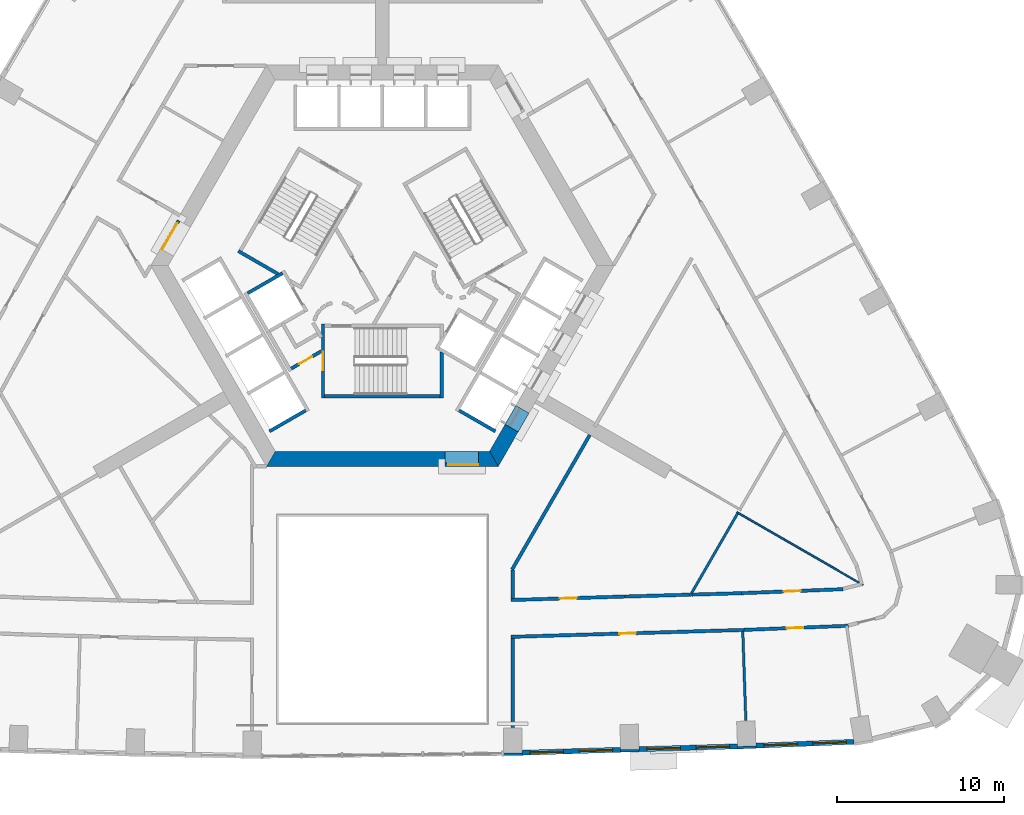
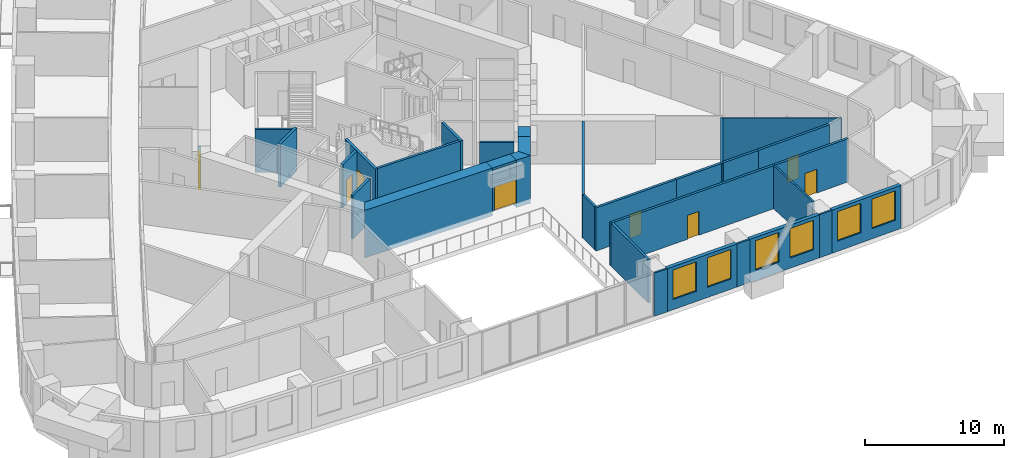
# One storey, part 6 of 15: 33 walls, 8 doors, 6 windows, 14 openings.
"""IFC4 building model written with IfcOpenShell, lengths in metres."""

from ifc_helpers import new_model, si_unit, direction, frame, frame_2d, origin, place, context, subcontext, project, spatial, polyline, rectangle, outline, extrude, material, layer, layer_set, type_object, element, fill, save


model = new_model("IFC4")

# Units and contexts
model_context = context("Model", 3, precision=1e-05, world=origin(), true_north=direction((0.0, 1.0)))
body_context = subcontext(model_context, "Body", "Model", "MODEL_VIEW")
ifc_project = project(units=[si_unit("LENGTHUNIT", "METRE"), si_unit("AREAUNIT", "SQUARE_METRE"), si_unit("VOLUMEUNIT", "CUBIC_METRE"), si_unit("PLANEANGLEUNIT", "RADIAN"), si_unit("MASSUNIT", "GRAM", prefix="KILO")], contexts=[model_context])

# Site, building, storey
site_placement = place(None, origin())
site = spatial("IfcSite", under=ifc_project, at=site_placement, CompositionType="ELEMENT")
building_placement = place(site_placement, origin())
building = spatial("IfcBuilding", under=site, at=building_placement, Name="Entoto Arch Interchange Tower", CompositionType="ELEMENT")
storey_placement = place(building_placement, frame((0.0, 0.0, 107.60009765625)))
storey = spatial("IfcBuildingStorey", under=building, at=storey_placement, Name="L23", CompositionType="ELEMENT", Elevation=107.60009765625)

# Wall, opening, door
ifc_material_1 = material(Name="Reinforced concrete C40/50", Category="concrete")
ifc_layer_1 = layer(ifc_material_1, 0.199951171875)
ifc_layer_set_1 = layer_set([ifc_layer_1], Name="Reinforced concrete C40/50")
wall_type_1 = type_object("IfcWallType", Name="CORE GAP INFILL WALL", PredefinedType="PARTITIONING", material=ifc_layer_set_1)
wall_1_placement = place(storey_placement, frame((3.75, -9.39990234375, 0.0), z_axis=(0.0, 0.0, 1.0), x_axis=(1.0, 0.0, 0.0)))
wall_1 = element("IfcWall", 1, at=wall_1_placement, inside=storey, type_object=wall_type_1, Name="wall:L23:gap1", PredefinedType="PARTITIONING", context=body_context, shape_type="SweptSolid", body=[
    extrude(rectangle(XDim=2.0, YDim=0.199951171875, at=frame_2d((1.0, 0.0))), origin(), (0.0, 0.0, 1.0), 2.39990234375),
])
opening_1_placement = place(wall_1_placement, frame((0.18994140625, 0.0, 0.0)))
opening_1 = element("IfcOpeningElement", 2, at=opening_1_placement, cuts=wall_1, Name="Opening L23-D91", PredefinedType="OPENING", context=body_context, shape_type="SweptSolid", body=[
    extrude(rectangle(XDim=1.800048828125, YDim=2.10009765625, at=frame_2d((0.89990234375, 1.050048828125))), frame((0.0, 0.10986328125, 0.0), z_axis=(0.0, -1.0, 0.0), x_axis=(1.0, 0.0, 0.0)), (0.0, 0.0, 1.0), 0.219970703125),
])
ifc_material_2 = material(Name="Fire-rated Steel S235 door and frame", Category="steel")
door_type_1 = type_object("IfcDoorType", Name="DOOR FD-18 1800x2100", OperationType="DOUBLE_DOOR_SINGLE_SWING", PredefinedType="DOOR", material=ifc_material_2)
door_1_placement = place(opening_1_placement, origin())
door_1 = element("IfcDoor", 3, at=door_1_placement, inside=storey, type_object=door_type_1, Name="door:L23:gap1", OperationType="DOUBLE_DOOR_SINGLE_SWING", OverallHeight=2.10009765625, OverallWidth=1.800048828125, PredefinedType="DOOR", context=body_context, shape_type="SweptSolid", body=[
    extrude(rectangle(XDim=1.800048828125, YDim=2.10009765625, at=frame_2d((0.89990234375, 1.050048828125))), frame((0.0, 0.02490234375, 0.0), z_axis=(0.0, -1.0, 0.0), x_axis=(1.0, 0.0, 0.0)), (0.0, 0.0, 1.0), 0.050048828125),
])
fill(opening_1, door_1)

wall_2_placement = place(storey_placement, frame((-12.179931640625, 5.201904296875, 0.0), z_axis=(0.0, 0.0, 1.0), x_axis=(-0.50002537861, -0.866010750942, 0.0)))
wall_2 = element("IfcWall", 4, at=wall_2_placement, inside=storey, type_object=wall_type_1, Name="wall:L23:gap3", PredefinedType="PARTITIONING", context=body_context, shape_type="SweptSolid", body=[
    extrude(rectangle(XDim=2.0, YDim=0.199951171875, at=frame_2d((1.0, 0.0))), origin(), (0.0, 0.0, 1.0), 2.39990234375),
])
opening_2_placement = place(wall_2_placement, frame((0.18994140625, 0.0, 0.0)))
opening_2 = element("IfcOpeningElement", 5, at=opening_2_placement, cuts=wall_2, Name="Opening L23-D93", PredefinedType="OPENING", context=body_context, shape_type="SweptSolid", body=[
    extrude(rectangle(XDim=1.800048828125, YDim=2.10009765625, at=frame_2d((0.89990234375, 1.050048828125))), frame((0.0, 0.10986328125, 0.0), z_axis=(0.0, -1.0, 0.0), x_axis=(1.0, 0.0, 0.0)), (0.0, 0.0, 1.0), 0.219970703125),
])
door_2_placement = place(opening_2_placement, origin())
door_2 = element("IfcDoor", 6, at=door_2_placement, inside=storey, type_object=door_type_1, Name="door:L23:gap3", OperationType="DOUBLE_DOOR_SINGLE_SWING", OverallHeight=2.10009765625, OverallWidth=1.800048828125, PredefinedType="DOOR", context=body_context, shape_type="SweptSolid", body=[
    extrude(rectangle(XDim=1.800048828125, YDim=2.10009765625, at=frame_2d((0.89990234375, 1.050048828125))), frame((0.0, 0.02490234375, 0.0), z_axis=(0.0, -1.0, 0.0), x_axis=(1.0, 0.0, 0.0)), (0.0, 0.0, 1.0), 0.050048828125),
])
fill(opening_2, door_2)

# Walls
ifc_material_3 = material(Name="Concrete C60/75", Category="concrete")
ifc_layer_2 = layer(ifc_material_3, 0.89990234375)
ifc_layer_set_2 = layer_set([ifc_layer_2], Name="Concrete C60/75")
wall_type_2 = type_object("IfcWallType", Name="Core wall 900 C60/75", PredefinedType="SHEAR", material=ifc_layer_set_2)
wall_3_placement = place(storey_placement, frame((0.0, 0.0, -0.400146484375)))
element("IfcWall", 7, at=wall_3_placement, inside=storey, type_object=wall_type_2, Name="Core wall S L23", PredefinedType="SHEAR", context=body_context, shape_type="SweptSolid", body=[
    extrude(outline(polyline([(3.75, -9.5), (3.75, -8.60009765625), (-6.408935546875, -8.60009765625), (-6.927978515625, -9.5), (3.75, -9.5)])), origin(), (0.0, 0.0, 1.0), 4.199951171875),
])
wall_4_placement = place(storey_placement, frame((0.0, 0.0, -0.400146484375)))
element("IfcWall", 8, at=wall_4_placement, inside=storey, type_object=wall_type_2, Name="Core wall S L23", PredefinedType="SHEAR", context=body_context, shape_type="SweptSolid", body=[
    extrude(outline(polyline([(5.75, -8.60009765625), (5.75, -9.5), (6.927978515625, -9.5), (6.408935546875, -8.60009765625), (5.75, -8.60009765625)])), origin(), (0.0, 0.0, 1.0), 4.199951171875),
])
wall_5_placement = place(storey_placement, frame((0.0, 0.0, 3.599853515625)))
element("IfcWall", 9, at=wall_5_placement, inside=storey, type_object=wall_type_2, Name="Core wall lintel S L23", PredefinedType="SHEAR", context=body_context, shape_type="SweptSolid", body=[
    extrude(outline(polyline([(5.75, -9.5), (5.75, -8.60009765625), (3.75, -8.60009765625), (3.75, -9.5), (5.75, -9.5)])), origin(), (0.0, 0.0, 1.0), 0.199951171875),
])
wall_6_placement = place(storey_placement, frame((0.0, 0.0, -0.400146484375)))
element("IfcWall", 10, at=wall_6_placement, inside=storey, type_object=wall_type_2, Name="Core wall SE L23", PredefinedType="SHEAR", context=body_context, shape_type="SweptSolid", body=[
    extrude(outline(polyline([(8.116943359375, -7.43994140625), (7.337890625, -6.989990234375), (6.408935546875, -8.60009765625), (6.927978515625, -9.5), (8.116943359375, -7.43994140625)])), origin(), (0.0, 0.0, 1.0), 4.199951171875),
])
wall_7_placement = place(storey_placement, frame((0.0, 0.0, 3.599853515625)))
element("IfcWall", 11, at=wall_7_placement, inside=storey, type_object=wall_type_2, Name="Core wall lintel SE L23", PredefinedType="SHEAR", context=body_context, shape_type="SweptSolid", body=[
    extrude(outline(polyline([(8.76708984375, -6.31396484375), (7.988037109375, -5.864013671875), (7.337890625, -6.989990234375), (8.116943359375, -7.43994140625), (8.76708984375, -6.31396484375)])), origin(), (0.0, 0.0, 1.0), 0.199951171875),
])
ifc_material_4 = material(Name="Concrete C40/50", Category="concrete")
ifc_layer_3 = layer(ifc_material_4, 0.199951171875)
ifc_layer_set_3 = layer_set([ifc_layer_3], Name="Concrete C40/50")
wall_type_3 = type_object("IfcWallType", Name="LIFT SHAFT WALL 200", PredefinedType="STANDARD", material=ifc_layer_set_3)
wall_8_placement = place(storey_placement, frame((-5.97705078125, 2.052001953125, 0.0), z_axis=(0.0, 0.0, 1.0), x_axis=(-0.865973769406, -0.500089422704, 0.0)))
element("IfcWall", 12, at=wall_8_placement, inside=storey, type_object=wall_type_3, Name="Shaft wall SW1 cross 1", PredefinedType="STANDARD", context=body_context, shape_type="SweptSolid", body=[
    extrude(rectangle(XDim=2.3994140625, YDim=0.199951171875, at=frame_2d((1.19970703125, 0.0))), origin(), (0.0, 0.0, 1.0), 3.7998046875),
])
for number, where, z_axis, x_axis, name in (
    (13, (-4.587890625, -6.153076171875, 0.0), (0.0, 0.0, 1.0), (-0.866022959057, -0.500004234368, 0.0), "Shaft wall SW3 cross 5"),
    (14, (4.587890625, -6.153076171875, 0.0), (0.0, 0.0, 1.0), (0.866022959057, -0.500004234368, 0.0), "Shaft wall SE3 cross 1"),
):
    element("IfcWall", number, at=place(storey_placement, frame(where, z_axis=z_axis, x_axis=x_axis)), inside=storey, type_object=wall_type_3, Name=name, PredefinedType="STANDARD", context=body_context, shape_type="SweptSolid", body=[
        extrude(rectangle(XDim=2.5, YDim=0.199951171875, at=frame_2d((1.25, 0.0))), origin(), (0.0, 0.0, 1.0), 3.7998046875),
    ])
ifc_material_5 = material(Name="Gypsum board partition on steel studs", Category="steel")
ifc_layer_4 = layer(ifc_material_5, 0.10009765625)
ifc_layer_set_4 = layer_set([ifc_layer_4], Name="Gypsum board partition on steel studs")
wall_type_4 = type_object("IfcWallType", Name="PARTITION 100", PredefinedType="PARTITIONING", material=ifc_layer_set_4)
wall_9_placement = place(storey_placement, frame((21.196044921875, -12.238037109375, 0.0), z_axis=(0.0, 0.0, 1.0), x_axis=(0.866023145199, -0.500003911965, 0.0)))
element("IfcWall", 15, at=wall_9_placement, inside=storey, type_object=wall_type_4, Name="wall:L23:p126", PredefinedType="PARTITIONING", context=body_context, shape_type="SweptSolid", body=[
    extrude(rectangle(XDim=8.7099609375, YDim=0.10009765625, at=frame_2d((4.35498046875, 0.0))), origin(), (0.0, 0.0, 1.0), 3.7998046875),
])
ifc_layer_5 = layer(ifc_material_5, 0.14990234375)
ifc_layer_set_5 = layer_set([ifc_layer_5], Name="Gypsum board partition on steel studs")
wall_type_5 = type_object("IfcWallType", Name="PARTITION 150", PredefinedType="PARTITIONING", material=ifc_layer_set_5)
wall_10_placement = place(storey_placement, frame((21.236083984375, -12.319091796875, 0.0), z_axis=(0.0, 0.0, 1.0), x_axis=(-0.500016488359, -0.866015884017, 0.0)))
element("IfcWall", 16, at=wall_10_placement, inside=storey, type_object=wall_type_5, Name="wall:L23:p124", PredefinedType="PARTITIONING", context=body_context, shape_type="SweptSolid", body=[
    extrude(rectangle(XDim=5.701904296875, YDim=0.14990234375, at=frame_2d((2.85107421875, 0.0))), origin(), (0.0, 0.0, 1.0), 3.7998046875),
])
wall_11_placement = place(storey_placement, frame((21.550048828125, -19.382080078125, 0.0), z_axis=(0.0, 0.0, 1.0), x_axis=(0.034124666577, -0.999417583961, 0.0)))
element("IfcWall", 17, at=wall_11_placement, inside=storey, type_object=wall_type_5, Name="wall:L23:p137", PredefinedType="PARTITIONING", context=body_context, shape_type="SweptSolid", body=[
    extrude(rectangle(XDim=5.330078125, YDim=0.14990234375, at=frame_2d((2.6650390625, 0.0))), origin(), (0.0, 0.0, 1.0), 3.7998046875),
])

# Wall, opening, door
ifc_layer_6 = layer(ifc_material_5, 0.199951171875)
ifc_layer_set_6 = layer_set([ifc_layer_6], Name="Gypsum board partition on steel studs")
wall_type_6 = type_object("IfcWallType", Name="PARTITION 200", PredefinedType="PARTITIONING", material=ifc_layer_set_6)
wall_12_placement = place(storey_placement, frame((7.699951171875, -17.492919921875, 0.0), z_axis=(0.0, 0.0, 1.0), x_axis=(0.999526319751, 0.030775576778, 0.0)))
wall_12 = element("IfcWall", 18, at=wall_12_placement, inside=storey, type_object=wall_type_6, Name="wall:L23:p017", PredefinedType="PARTITIONING", context=body_context, shape_type="SweptSolid", body=[
    extrude(rectangle(XDim=6.822265625, YDim=0.199951171875, at=frame_2d((3.4111328125, 0.0))), origin(), (0.0, 0.0, 1.0), 3.7998046875),
])
opening_3_placement = place(wall_12_placement, frame((2.910888671875, 0.0, 0.0)))
opening_3 = element("IfcOpeningElement", 19, at=opening_3_placement, cuts=wall_12, Name="Opening L23-D21", PredefinedType="OPENING", context=body_context, shape_type="SweptSolid", body=[
    extrude(rectangle(XDim=1.0, YDim=2.10009765625, at=frame_2d((0.5, 1.050048828125))), frame((0.0, 0.10986328125, 0.0), z_axis=(0.0, -1.0, 0.0), x_axis=(1.0, 0.0, 0.0)), (0.0, 0.0, 1.0), 0.219970703125),
])
ifc_material_6 = material(Name="Timber door leaf in Steel S235 frame", Category="steel")
door_type_2 = type_object("IfcDoorType", Name="DOOR DS-10 1000x2100", OperationType="SINGLE_SWING_LEFT", PredefinedType="DOOR", material=ifc_material_6)
door_3_placement = place(opening_3_placement, origin())
door_3 = element("IfcDoor", 20, at=door_3_placement, inside=storey, type_object=door_type_2, Name="door:L23:21", OperationType="SINGLE_SWING_LEFT", OverallHeight=2.10009765625, OverallWidth=1.0, PredefinedType="DOOR", context=body_context, shape_type="SweptSolid", body=[
    extrude(rectangle(XDim=1.0, YDim=2.10009765625, at=frame_2d((0.5, 1.050048828125))), frame((0.0, 0.02490234375, 0.0), z_axis=(0.0, -1.0, 0.0), x_axis=(1.0, 0.0, 0.0)), (0.0, 0.0, 1.0), 0.050048828125),
])
fill(opening_3, door_3)

# Walls
wall_13_placement = place(storey_placement, frame((14.51904296875, -17.282958984375, 0.0), z_axis=(0.0, 0.0, 1.0), x_axis=(0.999591204998, 0.028590608419, 0.0)))
element("IfcWall", 21, at=wall_13_placement, inside=storey, type_object=wall_type_6, Name="wall:L23:p018", PredefinedType="PARTITIONING", context=body_context, shape_type="SweptSolid", body=[
    extrude(rectangle(XDim=3.842529296875, YDim=0.199951171875, at=frame_2d((1.92138671875, 0.0))), origin(), (0.0, 0.0, 1.0), 3.7998046875),
])
wall_14_placement = place(storey_placement, frame((18.509033203125, -17.16796875, 0.0), z_axis=(0.0, 0.0, 1.0), x_axis=(0.999588854267, 0.028672677323, 0.0)))
element("IfcWall", 22, at=wall_14_placement, inside=storey, type_object=wall_type_6, Name="wall:L23:p021", PredefinedType="PARTITIONING", context=body_context, shape_type="SweptSolid", body=[
    extrude(rectangle(XDim=2.963134765625, YDim=0.199951171875, at=frame_2d((1.4814453125, 0.0))), origin(), (0.0, 0.0, 1.0), 3.7998046875),
])

# Wall, opening, door
wall_15_placement = place(storey_placement, frame((21.470947265625, -17.0830078125, 0.0), z_axis=(0.0, 0.0, 1.0), x_axis=(0.999221407079, 0.039453512338, 0.0)))
wall_15 = element("IfcWall", 23, at=wall_15_placement, inside=storey, type_object=wall_type_6, Name="wall:L23:p022", PredefinedType="PARTITIONING", context=body_context, shape_type="SweptSolid", body=[
    extrude(rectangle(XDim=6.082763671875, YDim=0.199951171875, at=frame_2d((3.04150390625, 0.0))), origin(), (0.0, 0.0, 1.0), 3.7998046875),
])
opening_4_placement = place(wall_15_placement, frame((2.541015625, 0.0, 0.0)))
opening_4 = element("IfcOpeningElement", 24, at=opening_4_placement, cuts=wall_15, Name="Opening L23-D23", PredefinedType="OPENING", context=body_context, shape_type="SweptSolid", body=[
    extrude(rectangle(XDim=1.0, YDim=2.10009765625, at=frame_2d((0.5, 1.050048828125))), frame((0.0, 0.10986328125, 0.0), z_axis=(0.0, -1.0, 0.0), x_axis=(1.0, 0.0, 0.0)), (0.0, 0.0, 1.0), 0.219970703125),
])
door_4_placement = place(opening_4_placement, origin())
door_4 = element("IfcDoor", 25, at=door_4_placement, inside=storey, type_object=door_type_2, Name="door:L23:23", OperationType="SINGLE_SWING_LEFT", OverallHeight=2.10009765625, OverallWidth=1.0, PredefinedType="DOOR", context=body_context, shape_type="SweptSolid", body=[
    extrude(rectangle(XDim=1.0, YDim=2.10009765625, at=frame_2d((0.5, 1.050048828125))), frame((0.0, 0.02490234375, 0.0), z_axis=(0.0, -1.0, 0.0), x_axis=(1.0, 0.0, 0.0)), (0.0, 0.0, 1.0), 0.050048828125),
])
fill(opening_4, door_4)

wall_16_placement = place(storey_placement, frame((21.62109375, -19.280029296875, 0.0), z_axis=(0.0, 0.0, 1.0), x_axis=(-0.999557957525, -0.029730280001, 0.0)))
wall_16 = element("IfcWall", 26, at=wall_16_placement, inside=storey, type_object=wall_type_6, Name="wall:L23:p043", PredefinedType="PARTITIONING", context=body_context, shape_type="SweptSolid", body=[
    extrude(rectangle(XDim=13.92724609375, YDim=0.199951171875, at=frame_2d((6.963623046875, 0.0))), origin(), (0.0, 0.0, 1.0), 3.7998046875),
])
opening_5_placement = place(wall_16_placement, frame((6.464111328125, 0.0, 0.0)))
opening_5 = element("IfcOpeningElement", 27, at=opening_5_placement, cuts=wall_16, Name="Opening L23-D01", PredefinedType="OPENING", context=body_context, shape_type="SweptSolid", body=[
    extrude(rectangle(XDim=1.0, YDim=2.10009765625, at=frame_2d((0.5, 1.050048828125))), frame((0.0, 0.10986328125, 0.0), z_axis=(0.0, -1.0, 0.0), x_axis=(1.0, 0.0, 0.0)), (0.0, 0.0, 1.0), 0.219970703125),
])
door_5_placement = place(opening_5_placement, origin())
door_5 = element("IfcDoor", 28, at=door_5_placement, inside=storey, type_object=door_type_2, Name="door:L23:01", OperationType="SINGLE_SWING_LEFT", OverallHeight=2.10009765625, OverallWidth=1.0, PredefinedType="DOOR", context=body_context, shape_type="SweptSolid", body=[
    extrude(rectangle(XDim=1.0, YDim=2.10009765625, at=frame_2d((0.5, 1.050048828125))), frame((0.0, 0.02490234375, 0.0), z_axis=(0.0, -1.0, 0.0), x_axis=(1.0, 0.0, 0.0)), (0.0, 0.0, 1.0), 0.050048828125),
])
fill(opening_5, door_5)

wall_17_placement = place(storey_placement, frame((27.864990234375, -19.031982421875, 0.0), z_axis=(0.0, 0.0, 1.0), x_axis=(-0.999218029978, -0.039538950003, 0.0)))
wall_17 = element("IfcWall", 29, at=wall_17_placement, inside=storey, type_object=wall_type_6, Name="wall:L23:p044", PredefinedType="PARTITIONING", context=body_context, shape_type="SweptSolid", body=[
    extrude(rectangle(XDim=6.248779296875, YDim=0.199951171875, at=frame_2d((3.12451171875, 0.0))), origin(), (0.0, 0.0, 1.0), 3.7998046875),
])
opening_6_placement = place(wall_17_placement, frame((2.698974609375, 0.0, 0.0)))
opening_6 = element("IfcOpeningElement", 30, at=opening_6_placement, cuts=wall_17, Name="Opening L23-D02", PredefinedType="OPENING", context=body_context, shape_type="SweptSolid", body=[
    extrude(rectangle(XDim=1.0, YDim=2.10009765625, at=frame_2d((0.5, 1.050048828125))), frame((0.0, 0.10986328125, 0.0), z_axis=(0.0, -1.0, 0.0), x_axis=(1.0, 0.0, 0.0)), (0.0, 0.0, 1.0), 0.219970703125),
])
door_6_placement = place(opening_6_placement, origin())
door_6 = element("IfcDoor", 31, at=door_6_placement, inside=storey, type_object=door_type_2, Name="door:L23:02", OperationType="SINGLE_SWING_LEFT", OverallHeight=2.10009765625, OverallWidth=1.0, PredefinedType="DOOR", context=body_context, shape_type="SweptSolid", body=[
    extrude(rectangle(XDim=1.0, YDim=2.10009765625, at=frame_2d((0.5, 1.050048828125))), frame((0.0, 0.02490234375, 0.0), z_axis=(0.0, -1.0, 0.0), x_axis=(1.0, 0.0, 0.0)), (0.0, 0.0, 1.0), 0.050048828125),
])
fill(opening_6, door_6)

wall_18_placement = place(storey_placement, frame((-3.64990234375, -2.610107421875, 0.0), z_axis=(0.0, 0.0, 1.0), x_axis=(-0.866072462134, -0.499918483688, 0.0)))
wall_18 = element("IfcWall", 32, at=wall_18_placement, inside=storey, type_object=wall_type_6, Name="wall:L23:p092", PredefinedType="PARTITIONING", context=body_context, shape_type="SweptSolid", body=[
    extrude(rectangle(XDim=2.084228515625, YDim=0.199951171875, at=frame_2d((1.0419921875, 0.0))), origin(), (0.0, 0.0, 1.0), 3.7998046875),
])
opening_7_placement = place(wall_18_placement, frame((0.64208984375, 0.0, 0.0)))
opening_7 = element("IfcOpeningElement", 33, at=opening_7_placement, cuts=wall_18, Name="Opening L23-D39", PredefinedType="OPENING", context=body_context, shape_type="SweptSolid", body=[
    extrude(rectangle(XDim=0.89990234375, YDim=2.10009765625, at=frame_2d((0.449951171875, 1.050048828125))), frame((0.0, 0.10986328125, 0.0), z_axis=(0.0, -1.0, 0.0), x_axis=(1.0, 0.0, 0.0)), (0.0, 0.0, 1.0), 0.219970703125),
])
door_type_3 = type_object("IfcDoorType", Name="DOOR DS-09 900x2100", OperationType="SINGLE_SWING_LEFT", PredefinedType="DOOR", material=ifc_material_6)
door_7_placement = place(opening_7_placement, origin())
door_7 = element("IfcDoor", 34, at=door_7_placement, inside=storey, type_object=door_type_3, Name="door:L23:39", OperationType="SINGLE_SWING_LEFT", OverallHeight=2.10009765625, OverallWidth=0.89990234375, PredefinedType="DOOR", context=body_context, shape_type="SweptSolid", body=[
    extrude(rectangle(XDim=0.89990234375, YDim=2.10009765625, at=frame_2d((0.449951171875, 1.050048828125))), frame((0.0, 0.02490234375, 0.0), z_axis=(0.0, -1.0, 0.0), x_axis=(1.0, 0.0, 0.0)), (0.0, 0.0, 1.0), 0.050048828125),
])
fill(opening_7, door_7)

# Walls
wall_19_placement = place(storey_placement, frame((7.800048828125, -15.68994140625, 0.0), z_axis=(0.0, 0.0, 1.0), x_axis=(0.0, -1.0, 0.0)))
element("IfcWall", 35, at=wall_19_placement, inside=storey, type_object=wall_type_6, Name="wall:L23:p115", PredefinedType="PARTITIONING", context=body_context, shape_type="SweptSolid", body=[
    extrude(rectangle(XDim=1.699951171875, YDim=0.199951171875, at=frame_2d((0.85009765625, 0.0))), origin(), (0.0, 0.0, 1.0), 3.7998046875),
])
wall_20_placement = place(storey_placement, frame((7.800048828125, -19.791015625, 0.0), z_axis=(0.0, 0.0, 1.0), x_axis=(0.0, -1.0, 0.0)))
element("IfcWall", 36, at=wall_20_placement, inside=storey, type_object=wall_type_6, Name="wall:L23:p118", PredefinedType="PARTITIONING", context=body_context, shape_type="SweptSolid", body=[
    extrude(rectangle(XDim=5.3330078125, YDim=0.199951171875, at=frame_2d((2.66650390625, 0.0))), origin(), (0.0, 0.0, 1.0), 3.7998046875),
])
wall_21_placement = place(storey_placement, frame((12.40087890625, -7.62109375, 0.0), z_axis=(0.0, 0.0, 1.0), x_axis=(-0.499983724212, -0.866034800411, 0.0)))
element("IfcWall", 37, at=wall_21_placement, inside=storey, type_object=wall_type_6, Name="wall:L23:p121", PredefinedType="PARTITIONING", context=body_context, shape_type="SweptSolid", body=[
    extrude(rectangle(XDim=9.302001953125, YDim=0.199951171875, at=frame_2d((4.65087890625, 0.0))), origin(), (0.0, 0.0, 1.0), 3.7998046875),
])

# Wall, opening, door
ifc_layer_7 = layer(ifc_material_4, 0.199951171875)
ifc_layer_set_7 = layer_set([ifc_layer_7], Name="Concrete C40/50")
wall_type_7 = type_object("IfcWallType", Name="STAIR ENCLOSURE WALL 200", PredefinedType="STANDARD", material=ifc_layer_set_7)
wall_22_placement = place(storey_placement, frame((-3.550048828125, -1.0, 0.0), z_axis=(0.0, 0.0, 1.0), x_axis=(0.0, -1.0, 0.0)))
wall_22 = element("IfcWall", 38, at=wall_22_placement, inside=storey, type_object=wall_type_7, Name="Stair wall ST-S near", PredefinedType="STANDARD", context=body_context, shape_type="SweptSolid", body=[
    extrude(rectangle(XDim=4.39990234375, YDim=0.199951171875, at=frame_2d((2.199951171875, 0.0))), origin(), (0.0, 0.0, 1.0), 3.7998046875),
])
opening_8_placement = place(wall_22_placement, frame((1.64990234375, 0.0, 0.0)))
opening_8 = element("IfcOpeningElement", 39, at=opening_8_placement, cuts=wall_22, Name="Opening SD-ST-S-L23-E", PredefinedType="OPENING", context=body_context, shape_type="SweptSolid", body=[
    extrude(rectangle(XDim=1.10009765625, YDim=2.199951171875, at=frame_2d((0.550048828125, 1.10009765625))), frame((0.0, 0.10986328125, 0.0), z_axis=(0.0, -1.0, 0.0), x_axis=(1.0, 0.0, 0.0)), (0.0, 0.0, 1.0), 0.219970703125),
])
ifc_material_7 = material(Name="Steel S235", Category="steel")
door_type_4 = type_object("IfcDoorType", Name="STAIR DOOR SD1 1100x2200", OperationType="SINGLE_SWING_LEFT", PredefinedType="DOOR", material=ifc_material_7)
door_8_placement = place(opening_8_placement, origin())
door_8 = element("IfcDoor", 40, at=door_8_placement, inside=storey, type_object=door_type_4, Name="Stair door ST-S L23 end", OperationType="SINGLE_SWING_LEFT", OverallHeight=2.199951171875, OverallWidth=1.10009765625, PredefinedType="DOOR", context=body_context, shape_type="SweptSolid", body=[
    extrude(rectangle(XDim=1.10009765625, YDim=2.199951171875, at=frame_2d((0.550048828125, 1.10009765625))), frame((0.0, 0.02490234375, 0.0), z_axis=(0.0, -1.0, 0.0), x_axis=(1.0, 0.0, 0.0)), (0.0, 0.0, 1.0), 0.050048828125),
])
fill(opening_8, door_8)

# Walls
wall_23_placement = place(storey_placement, frame((3.550048828125, -2.6669921875, 0.0), z_axis=(0.0, 0.0, 1.0), x_axis=(0.0, -1.0, 0.0)))
element("IfcWall", 41, at=wall_23_placement, inside=storey, type_object=wall_type_7, Name="Stair wall ST-S far", PredefinedType="STANDARD", context=body_context, shape_type="SweptSolid", body=[
    extrude(rectangle(XDim=2.73291015625, YDim=0.199951171875, at=frame_2d((1.366455078125, 0.0))), origin(), (0.0, 0.0, 1.0), 3.7998046875),
])
wall_24_placement = place(storey_placement, frame((-3.449951171875, -5.300048828125, 0.0), z_axis=(0.0, 0.0, 1.0), x_axis=(1.0, 0.0, 0.0)))
element("IfcWall", 42, at=wall_24_placement, inside=storey, type_object=wall_type_7, Name="Stair wall ST-S back", PredefinedType="STANDARD", context=body_context, shape_type="SweptSolid", body=[
    extrude(rectangle(XDim=6.89990234375, YDim=0.199951171875, at=frame_2d((3.449951171875, 0.0))), origin(), (0.0, 0.0, 1.0), 3.7998046875),
])
wall_25_placement = place(storey_placement, frame((-6.25, 2.010009765625, 0.0), z_axis=(0.0, 0.0, 1.0), x_axis=(-0.86611865017, 0.499838457731, 0.0)))
element("IfcWall", 43, at=wall_25_placement, inside=storey, type_object=wall_type_7, Name="Stair wall ST-NW far", PredefinedType="STANDARD", context=body_context, shape_type="SweptSolid", body=[
    extrude(rectangle(XDim=2.73291015625, YDim=0.199951171875, at=frame_2d((1.366455078125, 0.0))), origin(), (0.0, 0.0, 1.0), 3.7998046875),
])

# Wall, openings, windows
ifc_material_8 = material(Name="Welded tuff (ignimbrite) cladding, warm buff", Category="masonry")
ifc_layer_8 = layer(ifc_material_8, 0.300048828125)
ifc_layer_set_8 = layer_set([ifc_layer_8], Name="Welded tuff (ignimbrite) cladding, warm buff")
wall_type_8 = type_object("IfcWallType", Name="STONE INFILL WALL 300", PredefinedType="STANDARD", material=ifc_layer_set_8)
wall_26_placement = place(storey_placement, frame((8.346923828125, -26.626953125, 0.0), z_axis=(0.0, 0.0, 1.0), x_axis=(0.999529601824, 0.030668796478, 0.0)))
wall_26 = element("IfcWall", 44, at=wall_26_placement, inside=storey, type_object=wall_type_8, Name="Facade wall S-05 L23", PredefinedType="STANDARD", context=body_context, shape_type="SweptSolid", body=[
    extrude(rectangle(XDim=5.898681640625, YDim=0.300048828125, at=frame_2d((2.94921875, 0.0))), origin(), (0.0, 0.0, 1.0), 3.7998046875),
])
opening_9_placement = place(wall_26_placement, frame((0.47509765625, 0.0, 0.89990234375)))
opening_9 = element("IfcOpeningElement", 45, at=opening_9_placement, cuts=wall_26, Name="Opening WO-C", PredefinedType="OPENING", context=body_context, shape_type="SweptSolid", body=[
    extrude(rectangle(XDim=2.0, YDim=2.60009765625, at=frame_2d((1.0, 1.300048828125))), frame((0.0, 0.16015625, 0.0), z_axis=(0.0, -1.0, 0.0), x_axis=(1.0, 0.0, 0.0)), (0.0, 0.0, 1.0), 0.320068359375),
])
opening_10_placement = place(wall_26_placement, frame((3.424072265625, 0.0, 0.89990234375)))
opening_10 = element("IfcOpeningElement", 46, at=opening_10_placement, cuts=wall_26, Name="Opening WO-C", PredefinedType="OPENING", context=body_context, shape_type="SweptSolid", body=[
    extrude(rectangle(XDim=2.0, YDim=2.60009765625, at=frame_2d((1.0, 1.300048828125))), frame((0.0, 0.16015625, 0.0), z_axis=(0.0, -1.0, 0.0), x_axis=(1.0, 0.0, 0.0)), (0.0, 0.0, 1.0), 0.320068359375),
])
ifc_material_9 = material(Name="Clear glass, low-e double glazed", Category="glass")
window_type = type_object("IfcWindowType", Name="WINDOW WO-C 2000x2600", PartitioningType="DOUBLE_PANEL_VERTICAL", PredefinedType="WINDOW", material=ifc_material_9)
window_1_placement = place(opening_9_placement, origin())
window_1 = element("IfcWindow", 47, at=window_1_placement, inside=storey, type_object=window_type, Name="Window WO-C S-05 L23", OverallHeight=2.60009765625, OverallWidth=2.0, PartitioningType="SINGLE_PANEL", PredefinedType="WINDOW", context=body_context, shape_type="SweptSolid", body=[
    extrude(rectangle(XDim=2.0, YDim=2.60009765625, at=frame_2d((1.0, 1.300048828125))), frame((0.0, 0.030029296875, 0.0), z_axis=(0.0, -1.0, 0.0), x_axis=(1.0, 0.0, 0.0)), (0.0, 0.0, 1.0), 0.06005859375),
])
fill(opening_9, window_1)
window_2_placement = place(opening_10_placement, origin())
window_2 = element("IfcWindow", 48, at=window_2_placement, inside=storey, type_object=window_type, Name="Window WO-C S-05 L23", OverallHeight=2.60009765625, OverallWidth=2.0, PartitioningType="SINGLE_PANEL", PredefinedType="WINDOW", context=body_context, shape_type="SweptSolid", body=[
    extrude(rectangle(XDim=2.0, YDim=2.60009765625, at=frame_2d((1.0, 1.300048828125))), frame((0.0, 0.030029296875, 0.0), z_axis=(0.0, -1.0, 0.0), x_axis=(1.0, 0.0, 0.0)), (0.0, 0.0, 1.0), 0.06005859375),
])
fill(opening_10, window_2)

wall_27_placement = place(storey_placement, frame((15.340087890625, -26.4130859375, 0.0), z_axis=(0.0, 0.0, 1.0), x_axis=(0.999588397616, 0.028688592709, 0.0)))
wall_27 = element("IfcWall", 49, at=wall_27_placement, inside=storey, type_object=wall_type_8, Name="Facade wall S-06 L23", PredefinedType="STANDARD", context=body_context, shape_type="SweptSolid", body=[
    extrude(rectangle(XDim=5.8974609375, YDim=0.300048828125, at=frame_2d((2.94873046875, 0.0))), origin(), (0.0, 0.0, 1.0), 3.7998046875),
])
opening_11_placement = place(wall_27_placement, frame((0.47412109375, 0.0, 0.89990234375)))
opening_11 = element("IfcOpeningElement", 50, at=opening_11_placement, cuts=wall_27, Name="Opening WO-C", PredefinedType="OPENING", context=body_context, shape_type="SweptSolid", body=[
    extrude(rectangle(XDim=2.0, YDim=2.60009765625, at=frame_2d((1.0, 1.300048828125))), frame((0.0, 0.16015625, 0.0), z_axis=(0.0, -1.0, 0.0), x_axis=(1.0, 0.0, 0.0)), (0.0, 0.0, 1.0), 0.320068359375),
])
opening_12_placement = place(wall_27_placement, frame((3.423095703125, 0.0, 0.89990234375)))
opening_12 = element("IfcOpeningElement", 51, at=opening_12_placement, cuts=wall_27, Name="Opening WO-C", PredefinedType="OPENING", context=body_context, shape_type="SweptSolid", body=[
    extrude(rectangle(XDim=2.0, YDim=2.60009765625, at=frame_2d((1.0, 1.300048828125))), frame((0.0, 0.16015625, 0.0), z_axis=(0.0, -1.0, 0.0), x_axis=(1.0, 0.0, 0.0)), (0.0, 0.0, 1.0), 0.320068359375),
])
window_3_placement = place(opening_11_placement, origin())
window_3 = element("IfcWindow", 52, at=window_3_placement, inside=storey, type_object=window_type, Name="Window WO-C S-06 L23", OverallHeight=2.60009765625, OverallWidth=2.0, PartitioningType="SINGLE_PANEL", PredefinedType="WINDOW", context=body_context, shape_type="SweptSolid", body=[
    extrude(rectangle(XDim=2.0, YDim=2.60009765625, at=frame_2d((1.0, 1.300048828125))), frame((0.0, 0.030029296875, 0.0), z_axis=(0.0, -1.0, 0.0), x_axis=(1.0, 0.0, 0.0)), (0.0, 0.0, 1.0), 0.06005859375),
])
fill(opening_11, window_3)
window_4_placement = place(opening_12_placement, origin())
window_4 = element("IfcWindow", 53, at=window_4_placement, inside=storey, type_object=window_type, Name="Window WO-C S-06 L23", OverallHeight=2.60009765625, OverallWidth=2.0, PartitioningType="SINGLE_PANEL", PredefinedType="WINDOW", context=body_context, shape_type="SweptSolid", body=[
    extrude(rectangle(XDim=2.0, YDim=2.60009765625, at=frame_2d((1.0, 1.300048828125))), frame((0.0, 0.030029296875, 0.0), z_axis=(0.0, -1.0, 0.0), x_axis=(1.0, 0.0, 0.0)), (0.0, 0.0, 1.0), 0.06005859375),
])
fill(opening_12, window_4)

wall_28_placement = place(storey_placement, frame((22.33203125, -26.2060546875, 0.0), z_axis=(0.0, 0.0, 1.0), x_axis=(0.99922113396, 0.039460428885, 0.0)))
wall_28 = element("IfcWall", 54, at=wall_28_placement, inside=storey, type_object=wall_type_8, Name="Facade wall S-07 L23", PredefinedType="STANDARD", context=body_context, shape_type="SweptSolid", body=[
    extrude(rectangle(XDim=5.877685546875, YDim=0.300048828125, at=frame_2d((2.93896484375, 0.0))), origin(), (0.0, 0.0, 1.0), 3.7998046875),
])
opening_13_placement = place(wall_28_placement, frame((0.468994140625, 0.0, 0.89990234375)))
opening_13 = element("IfcOpeningElement", 55, at=opening_13_placement, cuts=wall_28, Name="Opening WO-C", PredefinedType="OPENING", context=body_context, shape_type="SweptSolid", body=[
    extrude(rectangle(XDim=2.0, YDim=2.60009765625, at=frame_2d((1.0, 1.300048828125))), frame((0.0, 0.16015625, 0.0), z_axis=(0.0, -1.0, 0.0), x_axis=(1.0, 0.0, 0.0)), (0.0, 0.0, 1.0), 0.320068359375),
])
opening_14_placement = place(wall_28_placement, frame((3.407958984375, 0.0, 0.89990234375)))
opening_14 = element("IfcOpeningElement", 56, at=opening_14_placement, cuts=wall_28, Name="Opening WO-C", PredefinedType="OPENING", context=body_context, shape_type="SweptSolid", body=[
    extrude(rectangle(XDim=2.0, YDim=2.60009765625, at=frame_2d((1.0, 1.300048828125))), frame((0.0, 0.16015625, 0.0), z_axis=(0.0, -1.0, 0.0), x_axis=(1.0, 0.0, 0.0)), (0.0, 0.0, 1.0), 0.320068359375),
])
window_5_placement = place(opening_13_placement, origin())
window_5 = element("IfcWindow", 57, at=window_5_placement, inside=storey, type_object=window_type, Name="Window WO-C S-07 L23", OverallHeight=2.60009765625, OverallWidth=2.0, PartitioningType="SINGLE_PANEL", PredefinedType="WINDOW", context=body_context, shape_type="SweptSolid", body=[
    extrude(rectangle(XDim=2.0, YDim=2.60009765625, at=frame_2d((1.0, 1.300048828125))), frame((0.0, 0.030029296875, 0.0), z_axis=(0.0, -1.0, 0.0), x_axis=(1.0, 0.0, 0.0)), (0.0, 0.0, 1.0), 0.06005859375),
])
fill(opening_13, window_5)
window_6_placement = place(opening_14_placement, origin())
window_6 = element("IfcWindow", 58, at=window_6_placement, inside=storey, type_object=window_type, Name="Window WO-C S-07 L23", OverallHeight=2.60009765625, OverallWidth=2.0, PartitioningType="SINGLE_PANEL", PredefinedType="WINDOW", context=body_context, shape_type="SweptSolid", body=[
    extrude(rectangle(XDim=2.0, YDim=2.60009765625, at=frame_2d((1.0, 1.300048828125))), frame((0.0, 0.030029296875, 0.0), z_axis=(0.0, -1.0, 0.0), x_axis=(1.0, 0.0, 0.0)), (0.0, 0.0, 1.0), 0.06005859375),
])
fill(opening_14, window_6)

# Walls
ifc_layer_9 = layer(ifc_material_8, 0.14990234375)
ifc_layer_set_9 = layer_set([ifc_layer_9], Name="Welded tuff (ignimbrite) cladding, warm buff")
wall_type_9 = type_object("IfcWallType", Name="STONE PIER CLADDING 150", PredefinedType="STANDARD", material=ifc_layer_set_9)
wall_29_placement = place(storey_placement, frame((7.2490234375, -26.72412109375, 0.0), z_axis=(0.0, 0.0, 1.0), x_axis=(0.99995860686, 0.009098602504, 0.0)))
element("IfcWall", 59, at=wall_29_placement, inside=storey, type_object=wall_type_9, Name="Stone pier S05 L23", PredefinedType="STANDARD", context=body_context, shape_type="SweptSolid", body=[
    extrude(rectangle(XDim=1.10009765625, YDim=0.14990234375, at=frame_2d((0.550048828125, 0.0))), origin(), (0.0, 0.0, 1.0), 3.7998046875),
])
wall_30_placement = place(storey_placement, frame((14.242919921875, -26.51708984375, 0.0), z_axis=(0.0, 0.0, 1.0), x_axis=(0.999718180159, 0.023739424163, 0.0)))
element("IfcWall", 60, at=wall_30_placement, inside=storey, type_object=wall_type_9, Name="Stone pier S06 L23", PredefinedType="STANDARD", context=body_context, shape_type="SweptSolid", body=[
    extrude(rectangle(XDim=1.100341796875, YDim=0.14990234375, at=frame_2d((0.55029296875, 0.0))), origin(), (0.0, 0.0, 1.0), 3.7998046875),
])
wall_31_placement = place(storey_placement, frame((21.237060546875, -26.322998046875, 0.0), z_axis=(0.0, 0.0, 1.0), x_axis=(0.999368780235, 0.035525217693, 0.0)))
element("IfcWall", 61, at=wall_31_placement, inside=storey, type_object=wall_type_9, Name="Stone pier S07 L23", PredefinedType="STANDARD", context=body_context, shape_type="SweptSolid", body=[
    extrude(rectangle(XDim=1.099609375, YDim=0.14990234375, at=frame_2d((0.5498046875, 0.0))), origin(), (0.0, 0.0, 1.0), 3.7998046875),
])

save(model, "model.ifc")
